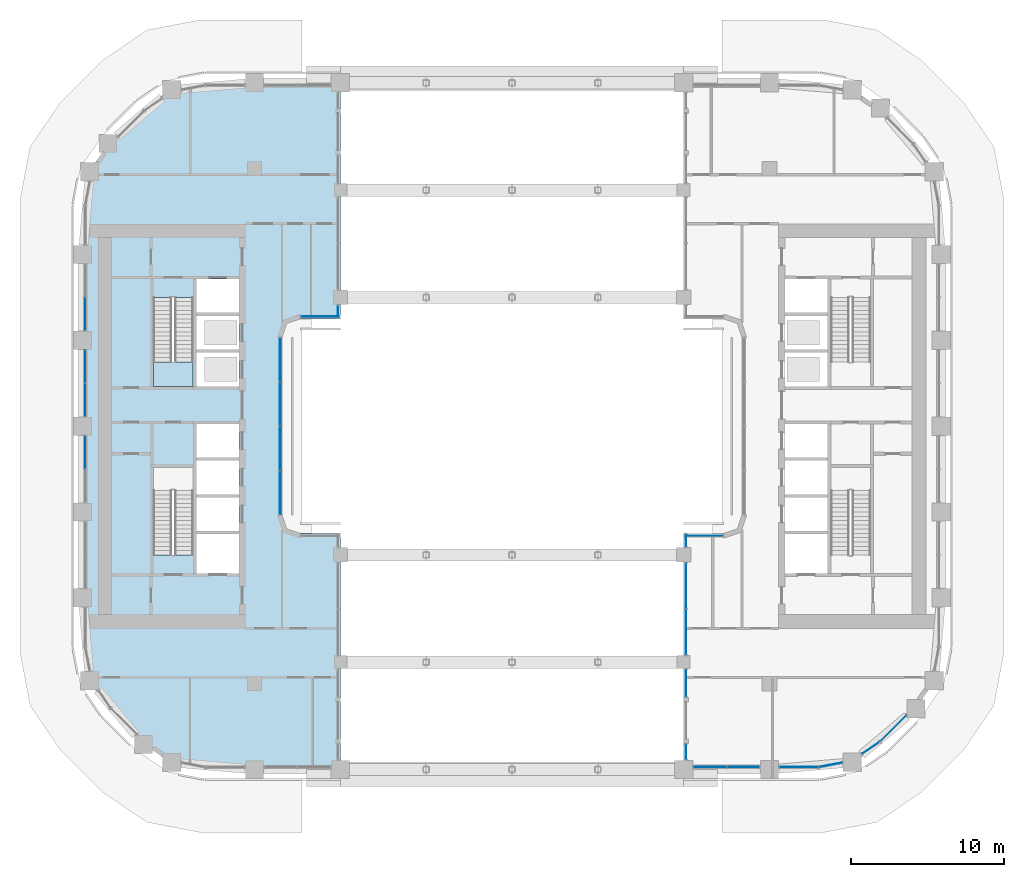
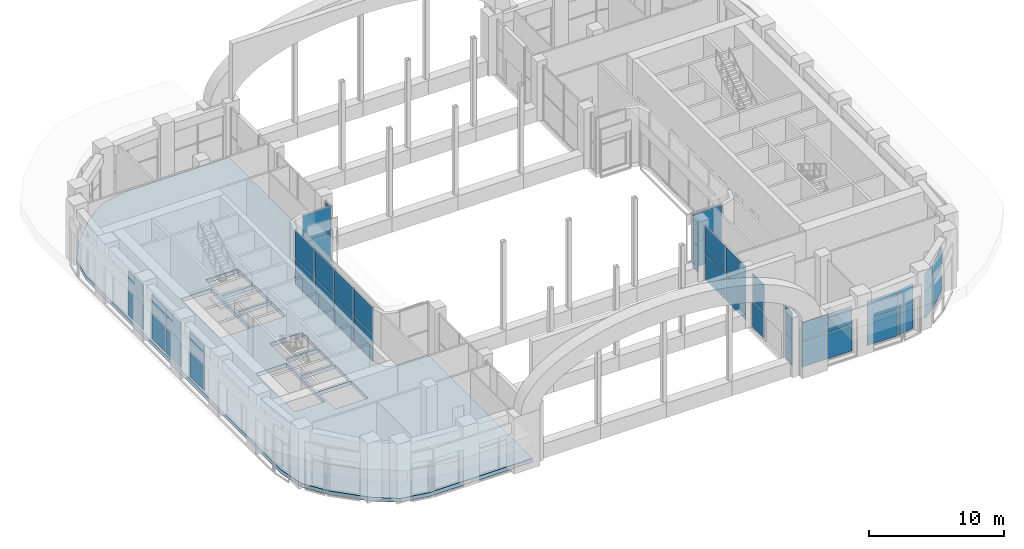
# One storey, part 12 of 28: 44 plates, 2 slabs, 17 elements without a shape of their own.
"""IFC4 building model written with IfcOpenShell, lengths in metres."""

from ifc_helpers import new_model, si_unit, direction, frame, origin, origin_2d, place, context, subcontext, project, spatial, polyline, rectangle, outline, extrude, material, layer, layer_set, type_object, element, aggregate, save


model = new_model("IFC4")

# Units and contexts
model_context = context("Model", 3, precision=1e-05, world=origin(), true_north=direction((0.0, 1.0)))
body_context = subcontext(model_context, "Body", "Model", "MODEL_VIEW")
ifc_project = project(units=[si_unit("LENGTHUNIT", "METRE"), si_unit("AREAUNIT", "SQUARE_METRE"), si_unit("VOLUMEUNIT", "CUBIC_METRE"), si_unit("PLANEANGLEUNIT", "RADIAN"), si_unit("MASSUNIT", "GRAM", prefix="KILO")], contexts=[model_context])

# Site, building, storey
site_placement = place(None, origin())
site = spatial("IfcSite", under=ifc_project, at=site_placement, CompositionType="ELEMENT")
building_placement = place(site_placement, origin())
building = spatial("IfcBuilding", under=site, at=building_placement, Name="Kiln Ring Residences", CompositionType="ELEMENT")
storey_placement = place(building_placement, frame((0.0, 0.0, 125.300048828125)))
storey = spatial("IfcBuildingStorey", under=building, at=storey_placement, Name="L32", CompositionType="ELEMENT", Elevation=125.300048828125)

# Stair, slab
ifc_material_1 = material(Name="Concrete C40/50", Category="concrete")
stair_type = type_object("IfcStairType", Name="CORE-STAIR", PredefinedType="HALF_TURN_STAIR", material=ifc_material_1)
placement = place(storey_placement, origin())
stair = element("IfcStair", 1, at=placement, inside=storey, type_object=stair_type, Name="L32 stair W-STN", PredefinedType="HALF_TURN_STAIR")
ifc_material_2 = material(Name="Concrete C40/50", Category="concrete")
ifc_layer_1 = layer(ifc_material_2, 0.199951171875)
ifc_layer_set_1 = layer_set([ifc_layer_1], Name="CORE-STAIR-LANDING")
slab_type_1 = type_object("IfcSlabType", Name="CORE-STAIR-LANDING", PredefinedType="LANDING", material=ifc_layer_set_1)
slab_1_placement = place(storey_placement, frame((0.0, 0.0, 2.5)))
slab_1 = element("IfcSlab", 2, at=slab_1_placement, type_object=slab_type_1, Name="W-STN landing 1", PredefinedType="LANDING", context=body_context, shape_type="SweptSolid", body=[
    extrude(outline(polyline([(-23.39990234375, 4.199951171875), (-23.39990234375, 2.60009765625), (-20.800048828125, 2.60009765625), (-20.800048828125, 4.199951171875), (-23.39990234375, 4.199951171875)])), origin(), (0.0, 0.0, 1.0), 0.199951171875),
])
aggregate(stair, [slab_1])

# Curtain wall, plates
ifc_material_3 = material(Name="Aluminium and glass", Category="aluminium")
ifc_layer_2 = layer(ifc_material_3, 0.199951171875)
ifc_layer_set_2 = layer_set([ifc_layer_2], Name="CW1 CURTAIN WALL")
curtain_wall_type = type_object("IfcCurtainWallType", Name="CW1 CURTAIN WALL", PredefinedType="NOTDEFINED", material=ifc_layer_set_2)
curtain_wall_1 = element("IfcCurtainWall", 3, at=placement, inside=storey, type_object=curtain_wall_type, Name="Curtain wall CW1 L32", PredefinedType="NOTDEFINED")
ifc_material_4 = material(Name="Glass, low-e laminated", Category="glass")
ifc_layer_3 = layer(ifc_material_4, 0.028076171875)
ifc_layer_set_3 = layer_set([ifc_layer_3], Name="CW1 PANEL 28")
plate_type = type_object("IfcPlateType", Name="CW1 PANEL 28", PredefinedType="CURTAIN_PANEL", material=ifc_layer_set_3)
plate_1_placement = place(storey_placement, frame((-15.14990234375, -4.3349609375, 0.059814453125), z_axis=(0.0, 0.0, 1.0), x_axis=(0.0, 1.0, 0.0)))
plate_1 = element("IfcPlate", 4, at=plate_1_placement, type_object=plate_type, Name="CW1 panel 1.1", PredefinedType="CURTAIN_PANEL", context=body_context, shape_type="SweptSolid", body=[
    extrude(rectangle(XDim=2.81005859375, YDim=0.028076171875, at=origin_2d()), origin(), (0.0, 0.0, 1.0), 2.31005859375),
])
plate_2_placement = place(storey_placement, frame((-15.14990234375, -4.3349609375, 2.429931640625), z_axis=(0.0, 0.0, 1.0), x_axis=(0.0, 1.0, 0.0)))
plate_2 = element("IfcPlate", 5, at=plate_2_placement, type_object=plate_type, Name="CW1 panel 1.2", PredefinedType="CURTAIN_PANEL", context=body_context, shape_type="SweptSolid", body=[
    extrude(rectangle(XDim=2.81005859375, YDim=0.028076171875, at=origin_2d()), origin(), (0.0, 0.0, 1.0), 2.4599609375),
])
plate_3_placement = place(storey_placement, frame((-15.14990234375, -1.449951171875, 0.059814453125), z_axis=(0.0, 0.0, 1.0), x_axis=(0.0, 1.0, 0.0)))
plate_3 = element("IfcPlate", 6, at=plate_3_placement, type_object=plate_type, Name="CW1 panel 2.1", PredefinedType="CURTAIN_PANEL", context=body_context, shape_type="SweptSolid", body=[
    extrude(rectangle(XDim=2.840087890625, YDim=0.028076171875, at=origin_2d()), origin(), (0.0, 0.0, 1.0), 2.31005859375),
])
plate_4_placement = place(storey_placement, frame((-15.14990234375, -1.449951171875, 2.429931640625), z_axis=(0.0, 0.0, 1.0), x_axis=(0.0, 1.0, 0.0)))
plate_4 = element("IfcPlate", 7, at=plate_4_placement, type_object=plate_type, Name="CW1 panel 2.2", PredefinedType="CURTAIN_PANEL", context=body_context, shape_type="SweptSolid", body=[
    extrude(rectangle(XDim=2.840087890625, YDim=0.028076171875, at=origin_2d()), origin(), (0.0, 0.0, 1.0), 2.4599609375),
])
plate_5_placement = place(storey_placement, frame((-15.14990234375, 1.449951171875, 0.059814453125), z_axis=(0.0, 0.0, 1.0), x_axis=(0.0, 1.0, 0.0)))
plate_5 = element("IfcPlate", 8, at=plate_5_placement, type_object=plate_type, Name="CW1 panel 3.1", PredefinedType="CURTAIN_PANEL", context=body_context, shape_type="SweptSolid", body=[
    extrude(rectangle(XDim=2.840087890625, YDim=0.028076171875, at=origin_2d()), origin(), (0.0, 0.0, 1.0), 2.31005859375),
])
plate_6_placement = place(storey_placement, frame((-15.14990234375, 1.449951171875, 2.429931640625), z_axis=(0.0, 0.0, 1.0), x_axis=(0.0, 1.0, 0.0)))
plate_6 = element("IfcPlate", 9, at=plate_6_placement, type_object=plate_type, Name="CW1 panel 3.2", PredefinedType="CURTAIN_PANEL", context=body_context, shape_type="SweptSolid", body=[
    extrude(rectangle(XDim=2.840087890625, YDim=0.028076171875, at=origin_2d()), origin(), (0.0, 0.0, 1.0), 2.4599609375),
])
plate_7_placement = place(storey_placement, frame((-15.14990234375, 4.3349609375, 0.059814453125), z_axis=(0.0, 0.0, 1.0), x_axis=(0.0, 1.0, 0.0)))
plate_7 = element("IfcPlate", 10, at=plate_7_placement, type_object=plate_type, Name="CW1 panel 4.1", PredefinedType="CURTAIN_PANEL", context=body_context, shape_type="SweptSolid", body=[
    extrude(rectangle(XDim=2.81005859375, YDim=0.028076171875, at=origin_2d()), origin(), (0.0, 0.0, 1.0), 2.31005859375),
])
plate_8_placement = place(storey_placement, frame((-15.14990234375, 4.3349609375, 2.429931640625), z_axis=(0.0, 0.0, 1.0), x_axis=(0.0, 1.0, 0.0)))
plate_8 = element("IfcPlate", 11, at=plate_8_placement, type_object=plate_type, Name="CW1 panel 4.2", PredefinedType="CURTAIN_PANEL", context=body_context, shape_type="SweptSolid", body=[
    extrude(rectangle(XDim=2.81005859375, YDim=0.028076171875, at=origin_2d()), origin(), (0.0, 0.0, 1.0), 2.4599609375),
])
aggregate(curtain_wall_1, [plate_1, plate_2, plate_3, plate_4, plate_5, plate_6, plate_7, plate_8])

curtain_wall_2 = element("IfcCurtainWall", 12, at=placement, inside=storey, type_object=curtain_wall_type, Name="Curtain wall CW1 L32", PredefinedType="NOTDEFINED")
plate_9_placement = place(storey_placement, frame((-12.5, 7.14990234375, 0.059814453125), z_axis=(0.0, 0.0, 1.0), x_axis=(1.0, 0.0, 0.0)))
plate_9 = element("IfcPlate", 13, at=plate_9_placement, type_object=plate_type, Name="CW1 panel 1.1", PredefinedType="CURTAIN_PANEL", context=body_context, shape_type="SweptSolid", body=[
    extrude(rectangle(XDim=2.47998046875, YDim=0.028076171875, at=origin_2d()), origin(), (0.0, 0.0, 1.0), 2.31005859375),
])
plate_10_placement = place(storey_placement, frame((-12.5, 7.14990234375, 2.429931640625), z_axis=(0.0, 0.0, 1.0), x_axis=(1.0, 0.0, 0.0)))
plate_10 = element("IfcPlate", 14, at=plate_10_placement, type_object=plate_type, Name="CW1 panel 1.2", PredefinedType="CURTAIN_PANEL", context=body_context, shape_type="SweptSolid", body=[
    extrude(rectangle(XDim=2.47998046875, YDim=0.028076171875, at=origin_2d()), origin(), (0.0, 0.0, 1.0), 2.4599609375),
])
aggregate(curtain_wall_2, [plate_9, plate_10])

curtain_wall_3 = element("IfcCurtainWall", 15, at=placement, inside=storey, type_object=curtain_wall_type, Name="Curtain wall CW1 L32", PredefinedType="NOTDEFINED")
plate_11_placement = place(storey_placement, frame((-11.35009765625, 7.46240234375, 0.059814453125), z_axis=(0.0, 0.0, 1.0), x_axis=(0.0, 1.0, 0.0)))
plate_11 = element("IfcPlate", 16, at=plate_11_placement, type_object=plate_type, Name="CW1 panel 1.1", PredefinedType="CURTAIN_PANEL", context=body_context, shape_type="SweptSolid", body=[
    extrude(rectangle(XDim=0.804931640625, YDim=0.028076171875, at=origin_2d()), origin(), (0.0, 0.0, 1.0), 2.31005859375),
])
plate_12_placement = place(storey_placement, frame((-11.35009765625, 7.46240234375, 2.429931640625), z_axis=(0.0, 0.0, 1.0), x_axis=(0.0, 1.0, 0.0)))
plate_12 = element("IfcPlate", 17, at=plate_12_placement, type_object=plate_type, Name="CW1 panel 1.2", PredefinedType="CURTAIN_PANEL", context=body_context, shape_type="SweptSolid", body=[
    extrude(rectangle(XDim=0.804931640625, YDim=0.028076171875, at=origin_2d()), origin(), (0.0, 0.0, 1.0), 2.4599609375),
])
aggregate(curtain_wall_3, [plate_11, plate_12])

curtain_wall_4 = element("IfcCurtainWall", 18, at=placement, inside=storey, type_object=curtain_wall_type, Name="Curtain wall CW1 L32", PredefinedType="NOTDEFINED")
plate_13_placement = place(storey_placement, frame((-27.85009765625, 7.31494140625, 0.059814453125), z_axis=(0.0, 0.0, 1.0), x_axis=(0.0, -1.0, 0.0)))
plate_13 = element("IfcPlate", 19, at=plate_13_placement, type_object=plate_type, Name="CW1 panel 2.1", PredefinedType="CURTAIN_PANEL", context=body_context, shape_type="SweptSolid", body=[
    extrude(rectangle(XDim=2.110107421875, YDim=0.028076171875, at=origin_2d()), origin(), (0.0, 0.0, 1.0), 2.31005859375),
])
plate_14_placement = place(storey_placement, frame((-27.85009765625, 7.31494140625, 2.43017578125), z_axis=(0.0, 0.0, 1.0), x_axis=(0.0, -1.0, 0.0)))
plate_14 = element("IfcPlate", 20, at=plate_14_placement, type_object=plate_type, Name="CW1 panel 2.2", PredefinedType="CURTAIN_PANEL", context=body_context, shape_type="SweptSolid", body=[
    extrude(rectangle(XDim=2.110107421875, YDim=0.028076171875, at=origin_2d()), origin(), (0.0, 0.0, 1.0), 1.659912109375),
])
aggregate(curtain_wall_4, [plate_13, plate_14])

curtain_wall_5 = element("IfcCurtainWall", 21, at=placement, inside=storey, type_object=curtain_wall_type, Name="Curtain wall CW1 L32", PredefinedType="NOTDEFINED")
plate_15_placement = place(storey_placement, frame((-27.85009765625, 3.885009765625, 0.059814453125), z_axis=(0.0, 0.0, 1.0), x_axis=(0.0, -1.0, 0.0)))
plate_15 = element("IfcPlate", 22, at=plate_15_placement, type_object=plate_type, Name="CW1 panel 1.1", PredefinedType="CURTAIN_PANEL", context=body_context, shape_type="SweptSolid", body=[
    extrude(rectangle(XDim=2.110107421875, YDim=0.028076171875, at=origin_2d()), origin(), (0.0, 0.0, 1.0), 2.31005859375),
])
plate_16_placement = place(storey_placement, frame((-27.85009765625, 3.885009765625, 2.43017578125), z_axis=(0.0, 0.0, 1.0), x_axis=(0.0, -1.0, 0.0)))
plate_16 = element("IfcPlate", 23, at=plate_16_placement, type_object=plate_type, Name="CW1 panel 1.2", PredefinedType="CURTAIN_PANEL", context=body_context, shape_type="SweptSolid", body=[
    extrude(rectangle(XDim=2.110107421875, YDim=0.028076171875, at=origin_2d()), origin(), (0.0, 0.0, 1.0), 1.659912109375),
])
plate_17_placement = place(storey_placement, frame((-27.85009765625, 1.715087890625, 0.059814453125), z_axis=(0.0, 0.0, 1.0), x_axis=(0.0, -1.0, 0.0)))
plate_17 = element("IfcPlate", 24, at=plate_17_placement, type_object=plate_type, Name="CW1 panel 2.1", PredefinedType="CURTAIN_PANEL", context=body_context, shape_type="SweptSolid", body=[
    extrude(rectangle(XDim=2.110107421875, YDim=0.028076171875, at=origin_2d()), origin(), (0.0, 0.0, 1.0), 2.31005859375),
])
plate_18_placement = place(storey_placement, frame((-27.85009765625, 1.715087890625, 2.43017578125), z_axis=(0.0, 0.0, 1.0), x_axis=(0.0, -1.0, 0.0)))
plate_18 = element("IfcPlate", 25, at=plate_18_placement, type_object=plate_type, Name="CW1 panel 2.2", PredefinedType="CURTAIN_PANEL", context=body_context, shape_type="SweptSolid", body=[
    extrude(rectangle(XDim=2.110107421875, YDim=0.028076171875, at=origin_2d()), origin(), (0.0, 0.0, 1.0), 1.659912109375),
])
aggregate(curtain_wall_5, [plate_15, plate_16, plate_17, plate_18])

curtain_wall_6 = element("IfcCurtainWall", 26, at=placement, inside=storey, type_object=curtain_wall_type, Name="Curtain wall CW1 L32", PredefinedType="NOTDEFINED")
plate_19_placement = place(storey_placement, frame((-27.85009765625, -1.715087890625, 0.059814453125), z_axis=(0.0, 0.0, 1.0), x_axis=(0.0, -1.0, 0.0)))
plate_19 = element("IfcPlate", 27, at=plate_19_placement, type_object=plate_type, Name="CW1 panel 1.1", PredefinedType="CURTAIN_PANEL", context=body_context, shape_type="SweptSolid", body=[
    extrude(rectangle(XDim=2.110107421875, YDim=0.028076171875, at=origin_2d()), origin(), (0.0, 0.0, 1.0), 2.31005859375),
])
plate_20_placement = place(storey_placement, frame((-27.85009765625, -1.715087890625, 2.43017578125), z_axis=(0.0, 0.0, 1.0), x_axis=(0.0, -1.0, 0.0)))
plate_20 = element("IfcPlate", 28, at=plate_20_placement, type_object=plate_type, Name="CW1 panel 1.2", PredefinedType="CURTAIN_PANEL", context=body_context, shape_type="SweptSolid", body=[
    extrude(rectangle(XDim=2.110107421875, YDim=0.028076171875, at=origin_2d()), origin(), (0.0, 0.0, 1.0), 1.659912109375),
])
aggregate(curtain_wall_6, [plate_19, plate_20])

curtain_wall_7 = element("IfcCurtainWall", 29, at=placement, inside=storey, type_object=curtain_wall_type, Name="Curtain wall CW1 L32", PredefinedType="NOTDEFINED")
plate_21_placement = place(storey_placement, frame((12.5, -7.14990234375, 0.059814453125), z_axis=(0.0, 0.0, 1.0), x_axis=(-1.0, 0.0, 0.0)))
plate_21 = element("IfcPlate", 30, at=plate_21_placement, type_object=plate_type, Name="CW1 panel 1.1", PredefinedType="CURTAIN_PANEL", context=body_context, shape_type="SweptSolid", body=[
    extrude(rectangle(XDim=2.47998046875, YDim=0.028076171875, at=origin_2d()), origin(), (0.0, 0.0, 1.0), 2.31005859375),
])
plate_22_placement = place(storey_placement, frame((12.5, -7.14990234375, 2.429931640625), z_axis=(0.0, 0.0, 1.0), x_axis=(-1.0, 0.0, 0.0)))
plate_22 = element("IfcPlate", 31, at=plate_22_placement, type_object=plate_type, Name="CW1 panel 1.2", PredefinedType="CURTAIN_PANEL", context=body_context, shape_type="SweptSolid", body=[
    extrude(rectangle(XDim=2.47998046875, YDim=0.028076171875, at=origin_2d()), origin(), (0.0, 0.0, 1.0), 2.4599609375),
])
aggregate(curtain_wall_7, [plate_21, plate_22])

curtain_wall_8 = element("IfcCurtainWall", 32, at=placement, inside=storey, type_object=curtain_wall_type, Name="Curtain wall CW1 L32", PredefinedType="NOTDEFINED")
plate_23_placement = place(storey_placement, frame((11.35009765625, -7.46240234375, 0.059814453125), z_axis=(0.0, 0.0, 1.0), x_axis=(0.0, -1.0, 0.0)))
plate_23 = element("IfcPlate", 33, at=plate_23_placement, type_object=plate_type, Name="CW1 panel 1.1", PredefinedType="CURTAIN_PANEL", context=body_context, shape_type="SweptSolid", body=[
    extrude(rectangle(XDim=0.804931640625, YDim=0.028076171875, at=origin_2d()), origin(), (0.0, 0.0, 1.0), 2.31005859375),
])
plate_24_placement = place(storey_placement, frame((11.35009765625, -7.46240234375, 2.429931640625), z_axis=(0.0, 0.0, 1.0), x_axis=(0.0, -1.0, 0.0)))
plate_24 = element("IfcPlate", 34, at=plate_24_placement, type_object=plate_type, Name="CW1 panel 1.2", PredefinedType="CURTAIN_PANEL", context=body_context, shape_type="SweptSolid", body=[
    extrude(rectangle(XDim=0.804931640625, YDim=0.028076171875, at=origin_2d()), origin(), (0.0, 0.0, 1.0), 2.4599609375),
])
aggregate(curtain_wall_8, [plate_23, plate_24])

curtain_wall_9 = element("IfcCurtainWall", 35, at=placement, inside=storey, type_object=curtain_wall_type, Name="Curtain wall CW1 L32", PredefinedType="NOTDEFINED")
plate_25_placement = place(storey_placement, frame((11.35009765625, -10.4150390625, 0.059814453125), z_axis=(0.0, 0.0, 1.0), x_axis=(0.0, -1.0, 0.0)))
plate_25 = element("IfcPlate", 36, at=plate_25_placement, type_object=plate_type, Name="CW1 panel 1.1", PredefinedType="CURTAIN_PANEL", context=body_context, shape_type="SweptSolid", body=[
    extrude(rectangle(XDim=2.9599609375, YDim=0.028076171875, at=origin_2d()), origin(), (0.0, 0.0, 1.0), 2.31005859375),
])
plate_26_placement = place(storey_placement, frame((11.35009765625, -10.4150390625, 2.429931640625), z_axis=(0.0, 0.0, 1.0), x_axis=(0.0, -1.0, 0.0)))
plate_26 = element("IfcPlate", 37, at=plate_26_placement, type_object=plate_type, Name="CW1 panel 1.2", PredefinedType="CURTAIN_PANEL", context=body_context, shape_type="SweptSolid", body=[
    extrude(rectangle(XDim=2.9599609375, YDim=0.028076171875, at=origin_2d()), origin(), (0.0, 0.0, 1.0), 2.4599609375),
])
plate_27_placement = place(storey_placement, frame((11.35009765625, -13.43505859375, 0.059814453125), z_axis=(0.0, 0.0, 1.0), x_axis=(0.0, -1.0, 0.0)))
plate_27 = element("IfcPlate", 38, at=plate_27_placement, type_object=plate_type, Name="CW1 panel 2.1", PredefinedType="CURTAIN_PANEL", context=body_context, shape_type="SweptSolid", body=[
    extrude(rectangle(XDim=2.9599609375, YDim=0.028076171875, at=origin_2d()), origin(), (0.0, 0.0, 1.0), 2.31005859375),
])
plate_28_placement = place(storey_placement, frame((11.35009765625, -13.43505859375, 2.429931640625), z_axis=(0.0, 0.0, 1.0), x_axis=(0.0, -1.0, 0.0)))
plate_28 = element("IfcPlate", 39, at=plate_28_placement, type_object=plate_type, Name="CW1 panel 2.2", PredefinedType="CURTAIN_PANEL", context=body_context, shape_type="SweptSolid", body=[
    extrude(rectangle(XDim=2.9599609375, YDim=0.028076171875, at=origin_2d()), origin(), (0.0, 0.0, 1.0), 2.4599609375),
])
aggregate(curtain_wall_9, [plate_25, plate_26, plate_27, plate_28])

curtain_wall_10 = element("IfcCurtainWall", 40, at=placement, inside=storey, type_object=curtain_wall_type, Name="Curtain wall CW1 L32", PredefinedType="NOTDEFINED")
plate_29_placement = place(storey_placement, frame((11.35009765625, -16.762451171875, 0.059814453125), z_axis=(0.0, 0.0, 1.0), x_axis=(0.0, -1.0, 0.0)))
plate_29 = element("IfcPlate", 41, at=plate_29_placement, type_object=plate_type, Name="CW1 panel 1.1", PredefinedType="CURTAIN_PANEL", context=body_context, shape_type="SweptSolid", body=[
    extrude(rectangle(XDim=1.7548828125, YDim=0.028076171875, at=origin_2d()), origin(), (0.0, 0.0, 1.0), 2.31005859375),
])
plate_30_placement = place(storey_placement, frame((11.35009765625, -16.762451171875, 2.429931640625), z_axis=(0.0, 0.0, 1.0), x_axis=(0.0, -1.0, 0.0)))
plate_30 = element("IfcPlate", 42, at=plate_30_placement, type_object=plate_type, Name="CW1 panel 1.2", PredefinedType="CURTAIN_PANEL", context=body_context, shape_type="SweptSolid", body=[
    extrude(rectangle(XDim=1.7548828125, YDim=0.028076171875, at=origin_2d()), origin(), (0.0, 0.0, 1.0), 2.4599609375),
])
aggregate(curtain_wall_10, [plate_29, plate_30])

curtain_wall_11 = element("IfcCurtainWall", 43, at=placement, inside=storey, type_object=curtain_wall_type, Name="Curtain wall CW1 L32", PredefinedType="NOTDEFINED")
plate_31_placement = place(storey_placement, frame((11.35009765625, -21.25, 0.059814453125), z_axis=(0.0, 0.0, 1.0), x_axis=(0.0, -1.0, 0.0)))
plate_31 = element("IfcPlate", 44, at=plate_31_placement, type_object=plate_type, Name="CW1 panel 1.1", PredefinedType="CURTAIN_PANEL", context=body_context, shape_type="SweptSolid", body=[
    extrude(rectangle(XDim=0.97998046875, YDim=0.028076171875, at=origin_2d()), origin(), (0.0, 0.0, 1.0), 2.31005859375),
])
plate_32_placement = place(storey_placement, frame((11.35009765625, -21.25, 2.429931640625), z_axis=(0.0, 0.0, 1.0), x_axis=(0.0, -1.0, 0.0)))
plate_32 = element("IfcPlate", 45, at=plate_32_placement, type_object=plate_type, Name="CW1 panel 1.2", PredefinedType="CURTAIN_PANEL", context=body_context, shape_type="SweptSolid", body=[
    extrude(rectangle(XDim=0.97998046875, YDim=0.028076171875, at=origin_2d()), origin(), (0.0, 0.0, 1.0), 2.4599609375),
])
aggregate(curtain_wall_11, [plate_31, plate_32])

curtain_wall_12 = element("IfcCurtainWall", 46, at=placement, inside=storey, type_object=curtain_wall_type, Name="Curtain wall CW1 L32", PredefinedType="NOTDEFINED")
plate_33_placement = place(storey_placement, frame((12.9150390625, -22.25, 0.059814453125), z_axis=(0.0, 0.0, 1.0), x_axis=(1.0, 0.0, 0.0)))
plate_33 = element("IfcPlate", 47, at=plate_33_placement, type_object=plate_type, Name="CW1 panel 1.1", PredefinedType="CURTAIN_PANEL", context=body_context, shape_type="SweptSolid", body=[
    extrude(rectangle(XDim=2.110107421875, YDim=0.028076171875, at=origin_2d()), origin(), (0.0, 0.0, 1.0), 2.31005859375),
])
plate_34_placement = place(storey_placement, frame((12.9150390625, -22.25, 2.43017578125), z_axis=(0.0, 0.0, 1.0), x_axis=(1.0, 0.0, 0.0)))
plate_34 = element("IfcPlate", 48, at=plate_34_placement, type_object=plate_type, Name="CW1 panel 1.2", PredefinedType="CURTAIN_PANEL", context=body_context, shape_type="SweptSolid", body=[
    extrude(rectangle(XDim=2.110107421875, YDim=0.028076171875, at=origin_2d()), origin(), (0.0, 0.0, 1.0), 1.659912109375),
])
plate_35_placement = place(storey_placement, frame((15.0849609375, -22.25, 0.059814453125), z_axis=(0.0, 0.0, 1.0), x_axis=(1.0, 0.0, 0.0)))
plate_35 = element("IfcPlate", 49, at=plate_35_placement, type_object=plate_type, Name="CW1 panel 2.1", PredefinedType="CURTAIN_PANEL", context=body_context, shape_type="SweptSolid", body=[
    extrude(rectangle(XDim=2.110107421875, YDim=0.028076171875, at=origin_2d()), origin(), (0.0, 0.0, 1.0), 2.31005859375),
])
plate_36_placement = place(storey_placement, frame((15.0849609375, -22.25, 2.43017578125), z_axis=(0.0, 0.0, 1.0), x_axis=(1.0, 0.0, 0.0)))
plate_36 = element("IfcPlate", 50, at=plate_36_placement, type_object=plate_type, Name="CW1 panel 2.2", PredefinedType="CURTAIN_PANEL", context=body_context, shape_type="SweptSolid", body=[
    extrude(rectangle(XDim=2.110107421875, YDim=0.028076171875, at=origin_2d()), origin(), (0.0, 0.0, 1.0), 1.659912109375),
])
aggregate(curtain_wall_12, [plate_33, plate_34, plate_35, plate_36])

curtain_wall_13 = element("IfcCurtainWall", 51, at=placement, inside=storey, type_object=curtain_wall_type, Name="Curtain wall CW1 L32", PredefinedType="NOTDEFINED")
plate_37_placement = place(storey_placement, frame((18.699951171875, -22.25, 0.059814453125), z_axis=(0.0, 0.0, 1.0), x_axis=(1.0, 0.0, 0.0)))
plate_37 = element("IfcPlate", 52, at=plate_37_placement, type_object=plate_type, Name="CW1 panel 1.1", PredefinedType="CURTAIN_PANEL", context=body_context, shape_type="SweptSolid", body=[
    extrude(rectangle(XDim=2.47998046875, YDim=0.028076171875, at=origin_2d()), origin(), (0.0, 0.0, 1.0), 2.31005859375),
])
plate_38_placement = place(storey_placement, frame((18.699951171875, -22.25, 2.43017578125), z_axis=(0.0, 0.0, 1.0), x_axis=(1.0, 0.0, 0.0)))
plate_38 = element("IfcPlate", 53, at=plate_38_placement, type_object=plate_type, Name="CW1 panel 1.2", PredefinedType="CURTAIN_PANEL", context=body_context, shape_type="SweptSolid", body=[
    extrude(rectangle(XDim=2.47998046875, YDim=0.028076171875, at=origin_2d()), origin(), (0.0, 0.0, 1.0), 1.659912109375),
])
aggregate(curtain_wall_13, [plate_37, plate_38])

curtain_wall_14 = element("IfcCurtainWall", 54, at=placement, inside=storey, type_object=curtain_wall_type, Name="Curtain wall CW1 L32", PredefinedType="NOTDEFINED")
plate_39_placement = place(storey_placement, frame((20.785400390625, -22.097412109375, 0.059814453125), z_axis=(0.0, 0.0, 1.0), x_axis=(0.982290257803, 0.187365550262, 0.0)))
plate_39 = element("IfcPlate", 55, at=plate_39_placement, type_object=plate_type, Name="CW1 panel 1.1", PredefinedType="CURTAIN_PANEL", context=body_context, shape_type="SweptSolid", body=[
    extrude(rectangle(XDim=1.5361328125, YDim=0.028076171875, at=origin_2d()), origin(), (0.0, 0.0, 1.0), 2.31005859375),
])
plate_40_placement = place(storey_placement, frame((20.785400390625, -22.097412109375, 2.43017578125), z_axis=(0.0, 0.0, 1.0), x_axis=(0.982290257803, 0.187365550262, 0.0)))
plate_40 = element("IfcPlate", 56, at=plate_40_placement, type_object=plate_type, Name="CW1 panel 1.2", PredefinedType="CURTAIN_PANEL", context=body_context, shape_type="SweptSolid", body=[
    extrude(rectangle(XDim=1.5361328125, YDim=0.028076171875, at=origin_2d()), origin(), (0.0, 0.0, 1.0), 1.659912109375),
])
aggregate(curtain_wall_14, [plate_39, plate_40])

curtain_wall_15 = element("IfcCurtainWall", 57, at=placement, inside=storey, type_object=curtain_wall_type, Name="Curtain wall CW1 L32", PredefinedType="NOTDEFINED")
plate_41_placement = place(storey_placement, frame((23.41064453125, -20.988037109375, 0.059814453125), z_axis=(0.0, 0.0, 1.0), x_axis=(0.827071553419, 0.562096651409, 0.0)))
plate_41 = element("IfcPlate", 58, at=plate_41_placement, type_object=plate_type, Name="CW1 panel 1.1", PredefinedType="CURTAIN_PANEL", context=body_context, shape_type="SweptSolid", body=[
    extrude(rectangle(XDim=1.335693359375, YDim=0.028076171875, at=origin_2d()), origin(), (0.0, 0.0, 1.0), 2.31005859375),
])
plate_42_placement = place(storey_placement, frame((23.41064453125, -20.988037109375, 2.43017578125), z_axis=(0.0, 0.0, 1.0), x_axis=(0.827071553419, 0.562096651409, 0.0)))
plate_42 = element("IfcPlate", 59, at=plate_42_placement, type_object=plate_type, Name="CW1 panel 1.2", PredefinedType="CURTAIN_PANEL", context=body_context, shape_type="SweptSolid", body=[
    extrude(rectangle(XDim=1.335693359375, YDim=0.028076171875, at=origin_2d()), origin(), (0.0, 0.0, 1.0), 1.659912109375),
])
aggregate(curtain_wall_15, [plate_41, plate_42])

curtain_wall_16 = element("IfcCurtainWall", 60, at=placement, inside=storey, type_object=curtain_wall_type, Name="Curtain wall CW1 L32", PredefinedType="NOTDEFINED")
plate_43_placement = place(storey_placement, frame((24.87548828125, -19.71240234375, 0.059814453125), z_axis=(0.0, 0.0, 1.0), x_axis=(0.707106781187, 0.707106781187, 0.0)))
plate_43 = element("IfcPlate", 61, at=plate_43_placement, type_object=plate_type, Name="CW1 panel 1.1", PredefinedType="CURTAIN_PANEL", context=body_context, shape_type="SweptSolid", body=[
    extrude(rectangle(XDim=2.381591796875, YDim=0.028076171875, at=origin_2d()), origin(), (0.0, 0.0, 1.0), 2.31005859375),
])
plate_44_placement = place(storey_placement, frame((24.87548828125, -19.71240234375, 2.43017578125), z_axis=(0.0, 0.0, 1.0), x_axis=(0.707106781187, 0.707106781187, 0.0)))
plate_44 = element("IfcPlate", 62, at=plate_44_placement, type_object=plate_type, Name="CW1 panel 1.2", PredefinedType="CURTAIN_PANEL", context=body_context, shape_type="SweptSolid", body=[
    extrude(rectangle(XDim=2.381591796875, YDim=0.028076171875, at=origin_2d()), origin(), (0.0, 0.0, 1.0), 1.659912109375),
])
aggregate(curtain_wall_16, [plate_43, plate_44])

# Slab
ifc_material_5 = material(Name="Concrete C40/50", Category="concrete")
ifc_layer_4 = layer(ifc_material_5, 0.35009765625)
ifc_layer_set_4 = layer_set([ifc_layer_4], Name="Floor slab 350")
slab_type_2 = type_object("IfcSlabType", Name="Floor slab 350", PredefinedType="FLOOR", material=ifc_layer_set_4)
slab_2_placement = place(storey_placement, frame((0.0, 0.0, -0.35009765625)))
element("IfcSlab", 63, at=slab_2_placement, inside=storey, type_object=slab_type_2, Name="Floor slab L32 1", PredefinedType="FLOOR", context=body_context, shape_type="SweptSolid", body=[
    extrude(outline(polyline([(-28.0, -14.39990234375), (-27.57568359375, -16.624267578125), (-26.302978515625, -18.4970703125), (-24.09716796875, -20.702880859375), (-22.224365234375, -21.975830078125), (-20.0, -22.39990234375), (-11.199951171875, -22.39990234375), (-11.199951171875, -7.0), (-13.800048828125, -7.0), (-14.699951171875, -6.699951171875), (-15.0, -5.800048828125), (-15.0, 5.800048828125), (-14.699951171875, 6.699951171875), (-13.800048828125, 7.0), (-11.199951171875, 7.0), (-11.199951171875, 22.39990234375), (-20.0, 22.39990234375), (-22.224365234375, 21.975830078125), (-24.09716796875, 20.702880859375), (-26.302978515625, 18.4970703125), (-27.57568359375, 16.624267578125), (-28.0, 14.39990234375), (-28.0, -14.39990234375)]), holes=[polyline([(-17.800048828125, 2.60009765625), (-20.60009765625, 2.60009765625), (-20.60009765625, 4.800048828125), (-17.800048828125, 4.800048828125), (-17.800048828125, 2.60009765625)]), polyline([(-17.800048828125, -2.050048828125), (-20.60009765625, -2.050048828125), (-20.60009765625, 0.14990234375), (-17.800048828125, 0.14990234375), (-17.800048828125, -2.050048828125)]), polyline([(-17.800048828125, -4.449951171875), (-20.60009765625, -4.449951171875), (-20.60009765625, -2.25), (-17.800048828125, -2.25), (-17.800048828125, -4.449951171875)]), polyline([(-17.800048828125, -6.85009765625), (-20.60009765625, -6.85009765625), (-20.60009765625, -4.64990234375), (-17.800048828125, -4.64990234375), (-17.800048828125, -6.85009765625)]), polyline([(-17.800048828125, -9.60009765625), (-20.60009765625, -9.60009765625), (-20.60009765625, -7.050048828125), (-17.800048828125, -7.050048828125), (-17.800048828125, -9.60009765625)]), polyline([(-20.60009765625, 7.39990234375), (-20.60009765625, 9.60009765625), (-17.800048828125, 9.60009765625), (-17.800048828125, 7.39990234375), (-20.60009765625, 7.39990234375)]), polyline([(-20.60009765625, 5.0), (-20.60009765625, 7.199951171875), (-17.800048828125, 7.199951171875), (-17.800048828125, 5.0), (-20.60009765625, 5.0)]), polyline([(-20.800048828125, -8.39794921875), (-23.39990234375, -8.39794921875), (-23.39990234375, -2.699951171875), (-20.800048828125, -2.699951171875), (-20.800048828125, -8.39794921875)]), polyline([(-20.800048828125, 2.60009765625), (-23.39990234375, 2.60009765625), (-23.39990234375, 8.39794921875), (-20.800048828125, 8.39794921875), (-20.800048828125, 2.60009765625)])]), origin(), (0.0, 0.0, 1.0), 0.35009765625),
])

save(model, "model.ifc")
